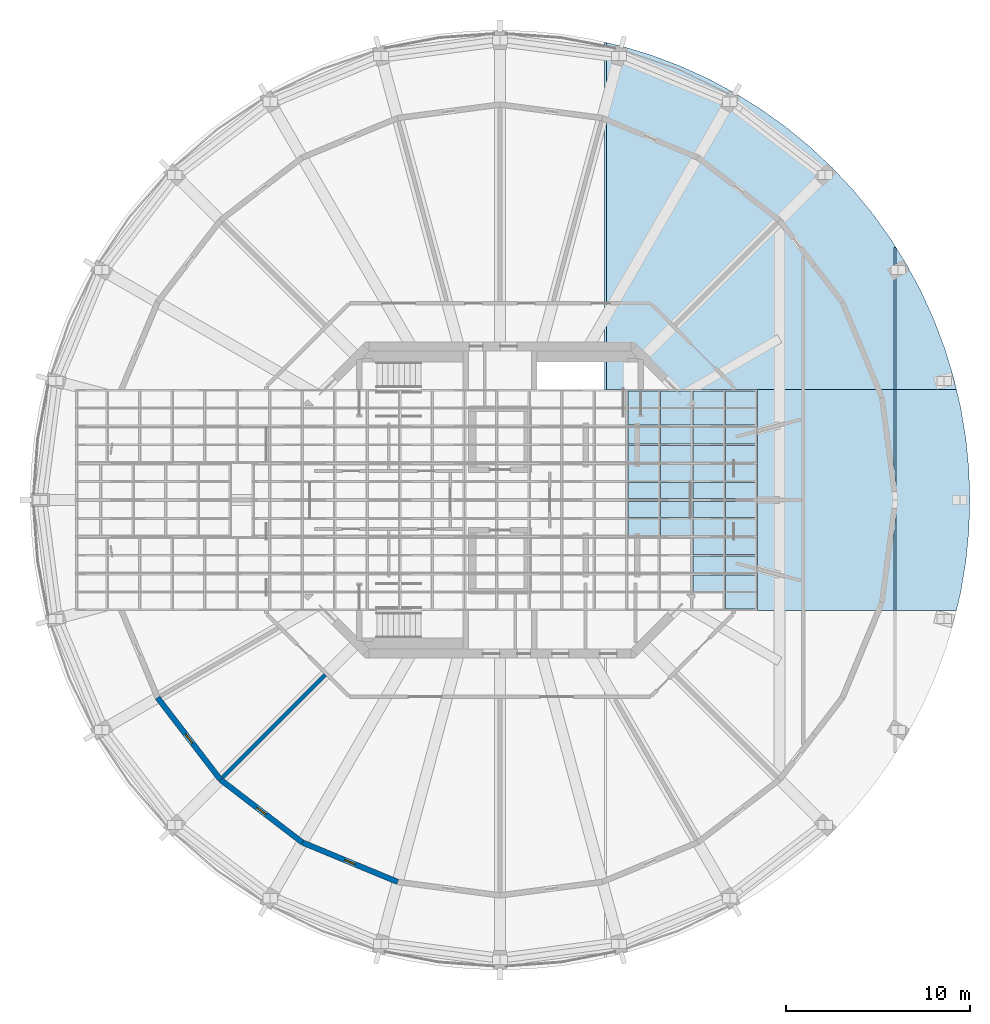
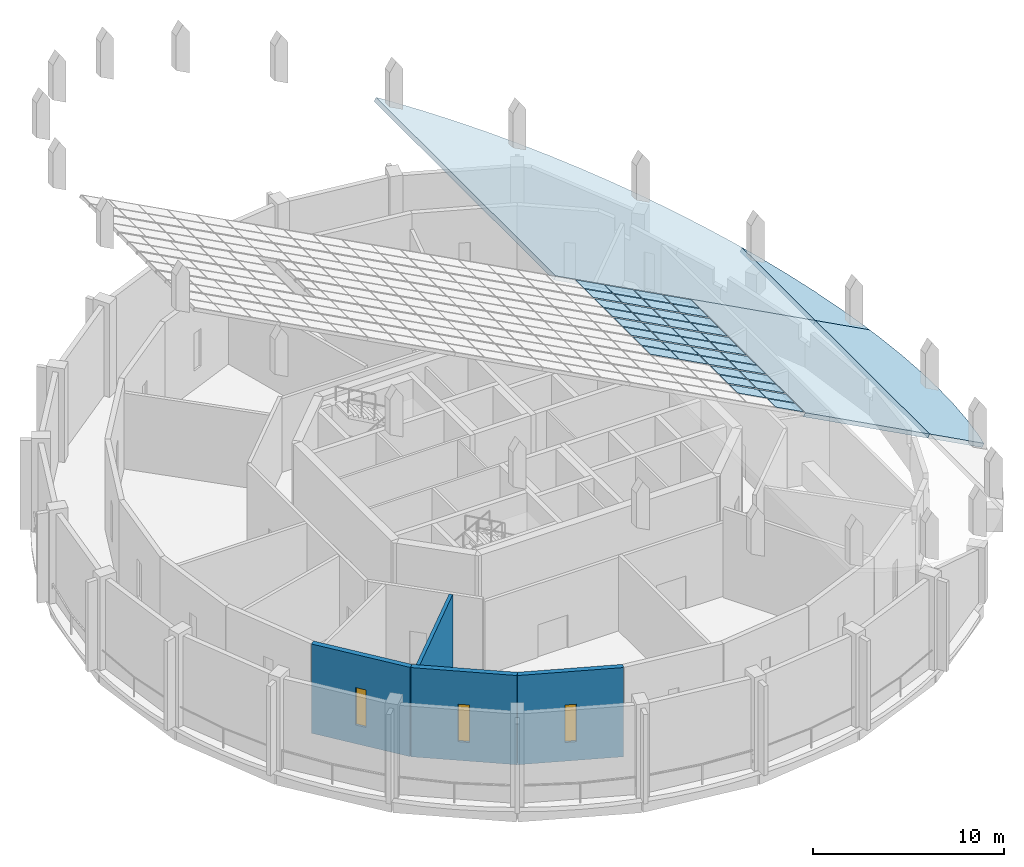
# One storey, part 12 of 19: 39 plates, 4 slabs, 4 walls, 3 windows, 3 openings, 6 elements without a shape of their own.
"""IFC4 building model written with IfcOpenShell, lengths in metres."""

import ifcopenshell
import ifcopenshell.guid

model = None  # the IFC model being written
_history = None  # IfcOwnerHistory: only IFC2X3 demands one
_inside = {}  # id of a spatial element -> (the spatial element, [elements in it])
_under = {}  # id of a project, library or spatial element -> (it, [spatial elements below it])
_declared = {}  # id of a project -> (the project, [libraries it declares])
_typed = {}  # id of a type object -> (the type object, [elements of that type])
_made_of = {}  # id of a material, layer set ... -> (it, [elements and type objects made of it])


def new_model(schema):
    """Start an empty IFC model of exactly this schema.

    Asked for "IFC4X3", IfcOpenShell would pick the latest addendum, in which some entities
    have other attributes; the version numbers below select the first issue.
    IFC2X3 requires an IfcOwnerHistory on every rooted entity: one is made here for all.
    """
    global model, _history
    if schema == "IFC4X3":
        model = ifcopenshell.file(schema_version=(4, 3, 0, 0))
    else:
        model = ifcopenshell.file(schema=schema)
    _inside.clear()
    _under.clear()
    _declared.clear()
    _typed.clear()
    _made_of.clear()
    _history = None
    if model.schema == "IFC2X3":
        org = make("IfcOrganization", Name="unknown")
        user = make(
            "IfcPersonAndOrganization",
            ThePerson=make("IfcPerson", FamilyName="unknown"),
            TheOrganization=org,
        )
        app = make(
            "IfcApplication",
            ApplicationDeveloper=org,
            Version="unknown",
            ApplicationFullName="unknown",
            ApplicationIdentifier="unknown",
        )
        _history = make(
            "IfcOwnerHistory",
            OwningUser=user,
            OwningApplication=app,
            ChangeAction="ADDED",
            CreationDate=0,
        )
    return model


def make(cls, **values):
    """One entity of the class cls with the attributes given. An attribute that is None is left unset."""
    return model.create_entity(
        cls, **{name: value for name, value in values.items() if value is not None}
    )


def rooted(cls, **values):
    """An entity with a GlobalId (a new one), such as an element, a storey or a relation."""
    return make(cls, GlobalId=ifcopenshell.guid.new(), OwnerHistory=_history, **values)


def si_unit(unit_type, name, prefix=None):
    """IfcSIUnit, for example si_unit("LENGTHUNIT", "METRE", prefix="MILLI")."""
    return make("IfcSIUnit", UnitType=unit_type, Prefix=prefix, Name=name)


def assignment(units):
    """IfcUnitAssignment: the units of a project."""
    return None if units is None else make("IfcUnitAssignment", Units=units)


def point(xyz):
    """IfcCartesianPoint."""
    return None if xyz is None else make("IfcCartesianPoint", Coordinates=xyz)


def direction(xyz):
    """IfcDirection."""
    return None if xyz is None else make("IfcDirection", DirectionRatios=xyz)


def frame(location, z_axis=None, x_axis=None):
    """IfcAxis2Placement3D, a coordinate frame: its origin and axes. An axis left out is left unset."""
    return make(
        "IfcAxis2Placement3D",
        Location=point(location),
        Axis=direction(z_axis),
        RefDirection=direction(x_axis),
    )


def frame_2d(location, x_axis=None):
    """IfcAxis2Placement2D, a coordinate frame in the plane: its origin and x axis."""
    return make(
        "IfcAxis2Placement2D", Location=point(location), RefDirection=direction(x_axis)
    )


def origin():
    """The frame at (0, 0, 0) with its axes left unset."""
    return frame((0.0, 0.0, 0.0))


def place(relative_to, where):
    """IfcLocalPlacement: puts the frame where relative to a parent placement (None: the world)."""
    return make(
        "IfcLocalPlacement", PlacementRelTo=relative_to, RelativePlacement=where
    )


def context(
    kind, dimensions, precision=None, world=None, true_north=None, identifier=None
):
    """IfcGeometricRepresentationContext, for example the 3D "Model" context."""
    return make(
        "IfcGeometricRepresentationContext",
        ContextIdentifier=identifier,
        ContextType=kind,
        CoordinateSpaceDimension=dimensions,
        Precision=precision,
        WorldCoordinateSystem=world,
        TrueNorth=true_north,
    )


def subcontext(parent, identifier, kind, view, scale=None):
    """IfcGeometricRepresentationSubContext, for example "Body" below "Model"."""
    return make(
        "IfcGeometricRepresentationSubContext",
        ContextIdentifier=identifier,
        ContextType=kind,
        ParentContext=parent,
        TargetScale=scale,
        TargetView=view,
    )


def project(units=None, contexts=None):
    """IfcProject with its units and contexts."""
    return rooted(
        "IfcProject",
        Name="project",
        RepresentationContexts=contexts,
        UnitsInContext=assignment(units),
    )


def spatial(cls, under=None, at=None, **own):
    """A site, building, storey or space (cls), placed at a placement, below another one or the project."""
    s = rooted(cls, ObjectPlacement=at, **own)
    if under is not None:
        _under.setdefault(under.id(), (under, []))[1].append(s)
    return s


def polyline(points):
    """IfcPolyline through the points."""
    return make("IfcPolyline", Points=[point(p) for p in points])


def profile(cls, at=None, kind="AREA", **sizes):
    """A parametric profile (cls). Its sizes go by their IFC names, for example OverallWidth=200.0."""
    return make(cls, ProfileType=kind, Position=at, **sizes)


def rectangle(**sizes):
    """IfcRectangleProfileDef."""
    return profile("IfcRectangleProfileDef", **sizes)


def outline(outer, holes=None, kind="AREA"):
    """IfcArbitraryClosedProfileDef: a profile drawn as a closed curve; with holes, ...WithVoids."""
    if holes is None:
        return make("IfcArbitraryClosedProfileDef", ProfileType=kind, OuterCurve=outer)
    return make(
        "IfcArbitraryProfileDefWithVoids",
        ProfileType=kind,
        OuterCurve=outer,
        InnerCurves=holes,
    )


def extrude(swept, where, along, depth):
    """IfcExtrudedAreaSolid: the profile swept, set in the frame where, extruded along a direction by depth."""
    return make(
        "IfcExtrudedAreaSolid",
        SweptArea=swept,
        Position=where,
        ExtrudedDirection=direction(along),
        Depth=depth,
    )


def shape(context_of_items, identifier, shape_type, items):
    """IfcShapeRepresentation: the items that make up one representation, for example the "Body"."""
    return make(
        "IfcShapeRepresentation",
        ContextOfItems=context_of_items,
        RepresentationIdentifier=identifier,
        RepresentationType=shape_type,
        Items=items,
    )


def material(Name=None, Category=None):
    """IfcMaterial."""
    return make("IfcMaterial", Name=Name, Category=Category)


def layer(
    of_material, thickness, ventilated=None, Name=None, Category=None, Priority=None
):
    """IfcMaterialLayer: one layer of a wall or slab, of a material (None: an air gap)."""
    return make(
        "IfcMaterialLayer",
        Material=of_material,
        LayerThickness=thickness,
        IsVentilated=ventilated,
        Name=Name,
        Category=Category,
        Priority=Priority,
    )


def layer_set(layers, Name=None):
    """IfcMaterialLayerSet."""
    return make("IfcMaterialLayerSet", MaterialLayers=layers, LayerSetName=Name)


def made_of(thing, what):
    """Note that an element or type object is made of a material, layer set ...; save() writes the relation."""
    if what is not None:
        _made_of.setdefault(what.id(), (what, []))[1].append(thing)
    return thing


def type_object(cls, material=None, **own):
    """A type object (cls), such as IfcWallType, which elements share."""
    return made_of(rooted(cls, **own), material)


def element(
    cls,
    number,
    at=None,
    inside=None,
    cuts=None,
    type_object=None,
    material=None,
    context=None,
    identifier="Body",
    shape_type=None,
    held_by="IfcProductDefinitionShape",
    body=None,
    shapes=None,
    **own,
):
    """One element of the class cls, such as IfcWall. Its Tag is "e" and its number.

    at: its placement. inside: the storey or other place that contains it. cuts: it is an
    opening in that element (IfcRelVoidsElement). A single representation is given by context,
    identifier, shape_type and body (its items); several are given by shapes. held_by: the class
    of the entity that holds the representations. save() writes the other relations.
    """
    e = rooted(cls, Tag="e%d" % number, ObjectPlacement=at, **own)
    if body is not None:
        shapes = [shape(context, identifier, shape_type, body)]
    if shapes is not None:
        e.Representation = make(held_by, Representations=shapes)
    if inside is not None:
        _inside.setdefault(inside.id(), (inside, []))[1].append(e)
    if cuts is not None:
        rooted(
            "IfcRelVoidsElement", RelatingBuildingElement=cuts, RelatedOpeningElement=e
        )
    if type_object is not None:
        _typed.setdefault(type_object.id(), (type_object, []))[1].append(e)
    return made_of(e, material)


def fill(opening, filler):
    """IfcRelFillsElement: the door or window that sits in an opening."""
    return rooted(
        "IfcRelFillsElement",
        RelatingOpeningElement=opening,
        RelatedBuildingElement=filler,
    )


def aggregate(whole, parts):
    """IfcRelAggregates: a whole, such as a stair, and the parts it consists of."""
    return rooted("IfcRelAggregates", RelatingObject=whole, RelatedObjects=parts)


def save(model, path):
    """Write the relations noted so far, then the file.

    IfcRelAggregates (storeys below a building ...), IfcRelContainedInSpatialStructure (elements
    in a storey), IfcRelDefinesByType, IfcRelAssociatesMaterial and IfcRelDeclares: one each for
    every whole, place, type object, material and project.
    """
    for whole, parts in _under.values():
        aggregate(whole, parts)
    for where, things in _inside.values():
        rooted(
            "IfcRelContainedInSpatialStructure",
            RelatedElements=things,
            RelatingStructure=where,
        )
    for kind, things in _typed.values():
        rooted("IfcRelDefinesByType", RelatedObjects=things, RelatingType=kind)
    for what, things in _made_of.values():
        rooted("IfcRelAssociatesMaterial", RelatedObjects=things, RelatingMaterial=what)
    for by, libraries in _declared.values():
        rooted("IfcRelDeclares", RelatingContext=by, RelatedDefinitions=libraries)
    model.write(path)


model = new_model("IFC4")

# Units and contexts
model_context = context("Model", 3, precision=1e-05, world=origin(), true_north=direction((0.0, 1.0)))
body_context = subcontext(model_context, "Body", "Model", "MODEL_VIEW")
ifc_project = project(units=[si_unit("LENGTHUNIT", "METRE"), si_unit("AREAUNIT", "SQUARE_METRE"), si_unit("VOLUMEUNIT", "CUBIC_METRE"), si_unit("PLANEANGLEUNIT", "RADIAN"), si_unit("MASSUNIT", "GRAM", prefix="KILO")], contexts=[model_context])

# Site, building, storey
site_placement = place(None, origin())
site = spatial("IfcSite", under=ifc_project, at=site_placement, CompositionType="ELEMENT")
building_placement = place(site_placement, origin())
building = spatial("IfcBuilding", under=site, at=building_placement, Name="Torre Triforio", CompositionType="ELEMENT")
storey_placement = place(building_placement, frame((0.0, 0.0, 290.800048828125)))
storey = spatial("IfcBuildingStorey", under=building, at=storey_placement, Name="RF-1", CompositionType="ELEMENT", Elevation=290.800048828125)

# Curtain wall, plates
ifc_material_1 = material(Name="Aluminium glazing bars with clear laminated glass", Category="aluminium")
curtain_wall_type = type_object("IfcCurtainWallType", Name="Crown lantern glazing CW4", PredefinedType="NOTDEFINED", material=ifc_material_1)
curtain_wall_1_placement = place(storey_placement, origin())
curtain_wall_1 = element("IfcCurtainWall", 1, at=curtain_wall_1_placement, inside=storey, type_object=curtain_wall_type, Name="Crown lantern run 1", PredefinedType="NOTDEFINED")
ifc_material_2 = material(Name="Clear laminated glass", Category="glass")
ifc_layer_1 = layer(ifc_material_2, 0.030029296875)
ifc_layer_set_1 = layer_set([ifc_layer_1], Name="Clear laminated glass")
plate_type = type_object("IfcPlateType", Name="CW4 glass panel 30", PredefinedType="CURTAIN_PANEL", material=ifc_layer_set_1)
plate_1_placement = place(storey_placement, frame((13.938232421875, -5.929931640625, 6.174072265625), z_axis=(0.469437772839, 0.0, 0.882965558463), x_axis=(0.0, 1.0, 0.0)))
plate_1 = element("IfcPlate", 2, at=plate_1_placement, type_object=plate_type, Name="CW4 panel 1.1.1", PredefinedType="CURTAIN_PANEL", context=body_context, shape_type="SweptSolid", body=[
    extrude(outline(polyline([(0.0, 0.0), (0.89501953125, 0.0), (0.89501953125, 1.895136030744882), (0.0, 1.895136030744882), (0.0, 0.0)])), origin(), (0.0, 0.0, -1.0), 0.030029296875),
])
plate_2_placement = place(storey_placement, frame((13.938232421875, -4.965087890625, 6.174072265625), z_axis=(0.469437772839, 0.0, 0.882965558463), x_axis=(0.0, 1.0, 0.0)))
plate_2 = element("IfcPlate", 3, at=plate_2_placement, type_object=plate_type, Name="CW4 panel 1.1.2", PredefinedType="CURTAIN_PANEL", context=body_context, shape_type="SweptSolid", body=[
    extrude(outline(polyline([(0.0, 0.0), (0.89501953125, 0.0), (0.89501953125, 1.895136030744882), (0.0, 1.895136030744882), (0.0, 0.0)])), origin(), (0.0, 0.0, -1.0), 0.030029296875),
])
plate_3_placement = place(storey_placement, frame((12.203125, -4.965087890625, 7.096435546875), z_axis=(0.469537451121, 0.0, 0.882912556256), x_axis=(0.0, 1.0, 0.0)))
plate_3 = element("IfcPlate", 4, at=plate_3_placement, type_object=plate_type, Name="CW4 panel 1.2.2", PredefinedType="CURTAIN_PANEL", context=body_context, shape_type="SweptSolid", body=[
    extrude(outline(polyline([(0.0, 0.0), (0.89501953125, 0.0), (0.89501953125, 1.9300909817454048), (0.0, 1.9300909817454048), (0.0, 0.0)])), origin(), (0.0, 0.0, -1.0), 0.030029296875),
])
aggregate(curtain_wall_1, [plate_1, plate_2, plate_3])

curtain_wall_2_placement = place(storey_placement, origin())
curtain_wall_2 = element("IfcCurtainWall", 5, at=curtain_wall_2_placement, inside=storey, type_object=curtain_wall_type, Name="Crown lantern run 2", PredefinedType="NOTDEFINED")
plate_4_placement = place(storey_placement, frame((13.938232421875, -3.929931640625, 6.174072265625), z_axis=(0.469437772839, 0.0, 0.882965558463), x_axis=(0.0, 1.0, 0.0)))
plate_4 = element("IfcPlate", 6, at=plate_4_placement, type_object=plate_type, Name="CW4 panel 2.1.1", PredefinedType="CURTAIN_PANEL", context=body_context, shape_type="SweptSolid", body=[
    extrude(outline(polyline([(0.0, 0.0), (0.89501953125, 0.0), (0.89501953125, 1.895136030744882), (0.0, 1.895136030744882), (0.0, 0.0)])), origin(), (0.0, 0.0, -1.0), 0.030029296875),
])
plate_5_placement = place(storey_placement, frame((13.938232421875, -2.965087890625, 6.174072265625), z_axis=(0.469437772839, 0.0, 0.882965558463), x_axis=(0.0, 1.0, 0.0)))
plate_5 = element("IfcPlate", 7, at=plate_5_placement, type_object=plate_type, Name="CW4 panel 2.1.2", PredefinedType="CURTAIN_PANEL", context=body_context, shape_type="SweptSolid", body=[
    extrude(outline(polyline([(0.0, 0.0), (0.89501953125, 0.0), (0.89501953125, 1.895136030744882), (0.0, 1.895136030744882), (0.0, 0.0)])), origin(), (0.0, 0.0, -1.0), 0.030029296875),
])
plate_6_placement = place(storey_placement, frame((12.203125, -3.929931640625, 7.096435546875), z_axis=(0.469537451121, 0.0, 0.882912556256), x_axis=(0.0, 1.0, 0.0)))
plate_6 = element("IfcPlate", 8, at=plate_6_placement, type_object=plate_type, Name="CW4 panel 2.2.1", PredefinedType="CURTAIN_PANEL", context=body_context, shape_type="SweptSolid", body=[
    extrude(outline(polyline([(0.0, 0.0), (0.89501953125, 0.0), (0.89501953125, 1.9300909817454048), (0.0, 1.9300909817454048), (0.0, 0.0)])), origin(), (0.0, 0.0, -1.0), 0.030029296875),
])
plate_7_placement = place(storey_placement, frame((12.203125, -2.965087890625, 7.096435546875), z_axis=(0.469537451121, 0.0, 0.882912556256), x_axis=(0.0, 1.0, 0.0)))
plate_7 = element("IfcPlate", 9, at=plate_7_placement, type_object=plate_type, Name="CW4 panel 2.2.2", PredefinedType="CURTAIN_PANEL", context=body_context, shape_type="SweptSolid", body=[
    extrude(outline(polyline([(0.0, 0.0), (0.89501953125, 0.0), (0.89501953125, 1.9300909817454048), (0.0, 1.9300909817454048), (0.0, 0.0)])), origin(), (0.0, 0.0, -1.0), 0.030029296875),
])
aggregate(curtain_wall_2, [plate_4, plate_5, plate_6, plate_7])

curtain_wall_3_placement = place(storey_placement, origin())
curtain_wall_3 = element("IfcCurtainWall", 10, at=curtain_wall_3_placement, inside=storey, type_object=curtain_wall_type, Name="Crown lantern run 3", PredefinedType="NOTDEFINED")
plate_8_placement = place(storey_placement, frame((13.938232421875, -1.929931640625, 6.174072265625), z_axis=(0.469437772839, 0.0, 0.882965558463), x_axis=(0.0, 1.0, 0.0)))
plate_8 = element("IfcPlate", 11, at=plate_8_placement, type_object=plate_type, Name="CW4 panel 3.1.1", PredefinedType="CURTAIN_PANEL", context=body_context, shape_type="SweptSolid", body=[
    extrude(outline(polyline([(0.0, 0.0), (0.89501953125, 0.0), (0.89501953125, 1.895136030744882), (0.0, 1.895136030744882), (0.0, 0.0)])), origin(), (0.0, 0.0, -1.0), 0.030029296875),
])
plate_9_placement = place(storey_placement, frame((13.938232421875, -0.965087890625, 6.174072265625), z_axis=(0.469437772839, 0.0, 0.882965558463), x_axis=(0.0, 1.0, 0.0)))
plate_9 = element("IfcPlate", 12, at=plate_9_placement, type_object=plate_type, Name="CW4 panel 3.1.2", PredefinedType="CURTAIN_PANEL", context=body_context, shape_type="SweptSolid", body=[
    extrude(outline(polyline([(0.0, 0.0), (0.89501953125, 0.0), (0.89501953125, 1.895136030744882), (0.0, 1.895136030744882), (0.0, 0.0)])), origin(), (0.0, 0.0, -1.0), 0.030029296875),
])
plate_10_placement = place(storey_placement, frame((12.203125, -1.929931640625, 7.096435546875), z_axis=(0.469537451121, 0.0, 0.882912556256), x_axis=(0.0, 1.0, 0.0)))
plate_10 = element("IfcPlate", 13, at=plate_10_placement, type_object=plate_type, Name="CW4 panel 3.2.1", PredefinedType="CURTAIN_PANEL", context=body_context, shape_type="SweptSolid", body=[
    extrude(outline(polyline([(0.0, 0.0), (0.89501953125, 0.0), (0.89501953125, 1.9300909817454048), (0.0, 1.9300909817454048), (0.0, 0.0)])), origin(), (0.0, 0.0, -1.0), 0.030029296875),
])
plate_11_placement = place(storey_placement, frame((12.203125, -0.965087890625, 7.096435546875), z_axis=(0.469537451121, 0.0, 0.882912556256), x_axis=(0.0, 1.0, 0.0)))
plate_11 = element("IfcPlate", 14, at=plate_11_placement, type_object=plate_type, Name="CW4 panel 3.2.2", PredefinedType="CURTAIN_PANEL", context=body_context, shape_type="SweptSolid", body=[
    extrude(outline(polyline([(0.0, 0.0), (0.89501953125, 0.0), (0.89501953125, 1.9300909817454048), (0.0, 1.9300909817454048), (0.0, 0.0)])), origin(), (0.0, 0.0, -1.0), 0.030029296875),
])
plate_12_placement = place(storey_placement, frame((10.437255859375, -1.929931640625, 8.03564453125), z_axis=(0.469438837627, 0.0, 0.882964992357), x_axis=(0.0, 1.0, 0.0)))
plate_12 = element("IfcPlate", 15, at=plate_12_placement, type_object=plate_type, Name="CW4 panel 3.3.1", PredefinedType="CURTAIN_PANEL", context=body_context, shape_type="SweptSolid", body=[
    extrude(outline(polyline([(0.0, 0.0), (0.89501953125, 0.0), (0.89501953125, 1.9299763606160503), (0.0, 1.9299763606160503), (0.0, 0.0)])), origin(), (0.0, 0.0, -1.0), 0.030029296875),
])
plate_13_placement = place(storey_placement, frame((10.437255859375, -0.965087890625, 8.03564453125), z_axis=(0.469438837627, 0.0, 0.882964992357), x_axis=(0.0, 1.0, 0.0)))
plate_13 = element("IfcPlate", 16, at=plate_13_placement, type_object=plate_type, Name="CW4 panel 3.3.2", PredefinedType="CURTAIN_PANEL", context=body_context, shape_type="SweptSolid", body=[
    extrude(outline(polyline([(0.0, 0.0), (0.89501953125, 0.0), (0.89501953125, 1.9299763606160503), (0.0, 1.9299763606160503), (0.0, 0.0)])), origin(), (0.0, 0.0, -1.0), 0.030029296875),
])
plate_14_placement = place(storey_placement, frame((8.67138671875, -1.929931640625, 8.974365234375), z_axis=(0.469537451121, 0.0, 0.882912556256), x_axis=(0.0, 1.0, 0.0)))
plate_14 = element("IfcPlate", 17, at=plate_14_placement, type_object=plate_type, Name="CW4 panel 3.4.1", PredefinedType="CURTAIN_PANEL", context=body_context, shape_type="SweptSolid", body=[
    extrude(outline(polyline([(0.0, 0.0), (0.89501953125, 0.0), (0.89501953125, 1.9300909817454048), (0.0, 1.9300909817454048), (0.0, 0.0)])), origin(), (0.0, 0.0, -1.0), 0.030029296875),
])
plate_15_placement = place(storey_placement, frame((8.67138671875, -0.965087890625, 8.974365234375), z_axis=(0.469537451121, 0.0, 0.882912556256), x_axis=(0.0, 1.0, 0.0)))
plate_15 = element("IfcPlate", 18, at=plate_15_placement, type_object=plate_type, Name="CW4 panel 3.4.2", PredefinedType="CURTAIN_PANEL", context=body_context, shape_type="SweptSolid", body=[
    extrude(outline(polyline([(0.0, 0.0), (0.89501953125, 0.0), (0.89501953125, 1.9300909817454048), (0.0, 1.9300909817454048), (0.0, 0.0)])), origin(), (0.0, 0.0, -1.0), 0.030029296875),
])
aggregate(curtain_wall_3, [plate_8, plate_9, plate_10, plate_11, plate_12, plate_13, plate_14, plate_15])

curtain_wall_4_placement = place(storey_placement, origin())
curtain_wall_4 = element("IfcCurtainWall", 19, at=curtain_wall_4_placement, inside=storey, type_object=curtain_wall_type, Name="Crown lantern run 5", PredefinedType="NOTDEFINED")
plate_16_placement = place(storey_placement, frame((13.938232421875, 0.070068359375, 6.174072265625), z_axis=(0.469437772839, 0.0, 0.882965558463), x_axis=(0.0, 1.0, 0.0)))
plate_16 = element("IfcPlate", 20, at=plate_16_placement, type_object=plate_type, Name="CW4 panel 5.1.1", PredefinedType="CURTAIN_PANEL", context=body_context, shape_type="SweptSolid", body=[
    extrude(outline(polyline([(0.0, 0.0), (0.89501953125, 0.0), (0.89501953125, 1.895136030744882), (0.0, 1.895136030744882), (0.0, 0.0)])), origin(), (0.0, 0.0, -1.0), 0.030029296875),
])
plate_17_placement = place(storey_placement, frame((13.938232421875, 1.034912109375, 6.174072265625), z_axis=(0.469437772839, 0.0, 0.882965558463), x_axis=(0.0, 1.0, 0.0)))
plate_17 = element("IfcPlate", 21, at=plate_17_placement, type_object=plate_type, Name="CW4 panel 5.1.2", PredefinedType="CURTAIN_PANEL", context=body_context, shape_type="SweptSolid", body=[
    extrude(outline(polyline([(0.0, 0.0), (0.89501953125, 0.0), (0.89501953125, 1.895136030744882), (0.0, 1.895136030744882), (0.0, 0.0)])), origin(), (0.0, 0.0, -1.0), 0.030029296875),
])
plate_18_placement = place(storey_placement, frame((12.203125, 0.070068359375, 7.096435546875), z_axis=(0.469537451121, 0.0, 0.882912556256), x_axis=(0.0, 1.0, 0.0)))
plate_18 = element("IfcPlate", 22, at=plate_18_placement, type_object=plate_type, Name="CW4 panel 5.2.1", PredefinedType="CURTAIN_PANEL", context=body_context, shape_type="SweptSolid", body=[
    extrude(outline(polyline([(0.0, 0.0), (0.89501953125, 0.0), (0.89501953125, 1.9300909817454048), (0.0, 1.9300909817454048), (0.0, 0.0)])), origin(), (0.0, 0.0, -1.0), 0.030029296875),
])
plate_19_placement = place(storey_placement, frame((12.203125, 1.034912109375, 7.096435546875), z_axis=(0.469537451121, 0.0, 0.882912556256), x_axis=(0.0, 1.0, 0.0)))
plate_19 = element("IfcPlate", 23, at=plate_19_placement, type_object=plate_type, Name="CW4 panel 5.2.2", PredefinedType="CURTAIN_PANEL", context=body_context, shape_type="SweptSolid", body=[
    extrude(outline(polyline([(0.0, 0.0), (0.89501953125, 0.0), (0.89501953125, 1.9300909817454048), (0.0, 1.9300909817454048), (0.0, 0.0)])), origin(), (0.0, 0.0, -1.0), 0.030029296875),
])
plate_20_placement = place(storey_placement, frame((10.437255859375, 0.070068359375, 8.03564453125), z_axis=(0.469438837627, 0.0, 0.882964992357), x_axis=(0.0, 1.0, 0.0)))
plate_20 = element("IfcPlate", 24, at=plate_20_placement, type_object=plate_type, Name="CW4 panel 5.3.1", PredefinedType="CURTAIN_PANEL", context=body_context, shape_type="SweptSolid", body=[
    extrude(outline(polyline([(0.0, 0.0), (0.89501953125, 0.0), (0.89501953125, 1.9299763606160503), (0.0, 1.9299763606160503), (0.0, 0.0)])), origin(), (0.0, 0.0, -1.0), 0.030029296875),
])
plate_21_placement = place(storey_placement, frame((10.437255859375, 1.034912109375, 8.03564453125), z_axis=(0.469438837627, 0.0, 0.882964992357), x_axis=(0.0, 1.0, 0.0)))
plate_21 = element("IfcPlate", 25, at=plate_21_placement, type_object=plate_type, Name="CW4 panel 5.3.2", PredefinedType="CURTAIN_PANEL", context=body_context, shape_type="SweptSolid", body=[
    extrude(outline(polyline([(0.0, 0.0), (0.89501953125, 0.0), (0.89501953125, 1.9299763606160503), (0.0, 1.9299763606160503), (0.0, 0.0)])), origin(), (0.0, 0.0, -1.0), 0.030029296875),
])
plate_22_placement = place(storey_placement, frame((8.67138671875, 0.070068359375, 8.974365234375), z_axis=(0.469537451121, 0.0, 0.882912556256), x_axis=(0.0, 1.0, 0.0)))
plate_22 = element("IfcPlate", 26, at=plate_22_placement, type_object=plate_type, Name="CW4 panel 5.4.1", PredefinedType="CURTAIN_PANEL", context=body_context, shape_type="SweptSolid", body=[
    extrude(outline(polyline([(0.0, 0.0), (0.89501953125, 0.0), (0.89501953125, 1.9300909817454048), (0.0, 1.9300909817454048), (0.0, 0.0)])), origin(), (0.0, 0.0, -1.0), 0.030029296875),
])
plate_23_placement = place(storey_placement, frame((8.67138671875, 1.034912109375, 8.974365234375), z_axis=(0.469537451121, 0.0, 0.882912556256), x_axis=(0.0, 1.0, 0.0)))
plate_23 = element("IfcPlate", 27, at=plate_23_placement, type_object=plate_type, Name="CW4 panel 5.4.2", PredefinedType="CURTAIN_PANEL", context=body_context, shape_type="SweptSolid", body=[
    extrude(outline(polyline([(0.0, 0.0), (0.89501953125, 0.0), (0.89501953125, 1.9300909817454048), (0.0, 1.9300909817454048), (0.0, 0.0)])), origin(), (0.0, 0.0, -1.0), 0.030029296875),
])
aggregate(curtain_wall_4, [plate_16, plate_17, plate_18, plate_19, plate_20, plate_21, plate_22, plate_23])

curtain_wall_5_placement = place(storey_placement, origin())
curtain_wall_5 = element("IfcCurtainWall", 28, at=curtain_wall_5_placement, inside=storey, type_object=curtain_wall_type, Name="Crown lantern run 7", PredefinedType="NOTDEFINED")
plate_24_placement = place(storey_placement, frame((13.938232421875, 2.070068359375, 6.174072265625), z_axis=(0.469437772839, 0.0, 0.882965558463), x_axis=(0.0, 1.0, 0.0)))
plate_24 = element("IfcPlate", 29, at=plate_24_placement, type_object=plate_type, Name="CW4 panel 7.1.1", PredefinedType="CURTAIN_PANEL", context=body_context, shape_type="SweptSolid", body=[
    extrude(outline(polyline([(0.0, 0.0), (0.89501953125, 0.0), (0.89501953125, 1.895136030744882), (0.0, 1.895136030744882), (0.0, 0.0)])), origin(), (0.0, 0.0, -1.0), 0.030029296875),
])
plate_25_placement = place(storey_placement, frame((13.938232421875, 3.034912109375, 6.174072265625), z_axis=(0.469437772839, 0.0, 0.882965558463), x_axis=(0.0, 1.0, 0.0)))
plate_25 = element("IfcPlate", 30, at=plate_25_placement, type_object=plate_type, Name="CW4 panel 7.1.2", PredefinedType="CURTAIN_PANEL", context=body_context, shape_type="SweptSolid", body=[
    extrude(outline(polyline([(0.0, 0.0), (0.89501953125, 0.0), (0.89501953125, 1.895136030744882), (0.0, 1.895136030744882), (0.0, 0.0)])), origin(), (0.0, 0.0, -1.0), 0.030029296875),
])
plate_26_placement = place(storey_placement, frame((12.203125, 2.070068359375, 7.096435546875), z_axis=(0.469537451121, 0.0, 0.882912556256), x_axis=(0.0, 1.0, 0.0)))
plate_26 = element("IfcPlate", 31, at=plate_26_placement, type_object=plate_type, Name="CW4 panel 7.2.1", PredefinedType="CURTAIN_PANEL", context=body_context, shape_type="SweptSolid", body=[
    extrude(outline(polyline([(0.0, 0.0), (0.89501953125, 0.0), (0.89501953125, 1.9300909817454048), (0.0, 1.9300909817454048), (0.0, 0.0)])), origin(), (0.0, 0.0, -1.0), 0.030029296875),
])
plate_27_placement = place(storey_placement, frame((12.203125, 3.034912109375, 7.096435546875), z_axis=(0.469537451121, 0.0, 0.882912556256), x_axis=(0.0, 1.0, 0.0)))
plate_27 = element("IfcPlate", 32, at=plate_27_placement, type_object=plate_type, Name="CW4 panel 7.2.2", PredefinedType="CURTAIN_PANEL", context=body_context, shape_type="SweptSolid", body=[
    extrude(outline(polyline([(0.0, 0.0), (0.89501953125, 0.0), (0.89501953125, 1.9300909817454048), (0.0, 1.9300909817454048), (0.0, 0.0)])), origin(), (0.0, 0.0, -1.0), 0.030029296875),
])
plate_28_placement = place(storey_placement, frame((10.437255859375, 2.070068359375, 8.03564453125), z_axis=(0.469438837627, 0.0, 0.882964992357), x_axis=(0.0, 1.0, 0.0)))
plate_28 = element("IfcPlate", 33, at=plate_28_placement, type_object=plate_type, Name="CW4 panel 7.3.1", PredefinedType="CURTAIN_PANEL", context=body_context, shape_type="SweptSolid", body=[
    extrude(outline(polyline([(0.0, 0.0), (0.89501953125, 0.0), (0.89501953125, 1.9299763606160503), (0.0, 1.9299763606160503), (0.0, 0.0)])), origin(), (0.0, 0.0, -1.0), 0.030029296875),
])
plate_29_placement = place(storey_placement, frame((10.437255859375, 3.034912109375, 8.03564453125), z_axis=(0.469438837627, 0.0, 0.882964992357), x_axis=(0.0, 1.0, 0.0)))
plate_29 = element("IfcPlate", 34, at=plate_29_placement, type_object=plate_type, Name="CW4 panel 7.3.2", PredefinedType="CURTAIN_PANEL", context=body_context, shape_type="SweptSolid", body=[
    extrude(outline(polyline([(0.0, 0.0), (0.89501953125, 0.0), (0.89501953125, 1.9299763606160503), (0.0, 1.9299763606160503), (0.0, 0.0)])), origin(), (0.0, 0.0, -1.0), 0.030029296875),
])
plate_30_placement = place(storey_placement, frame((8.67138671875, 2.070068359375, 8.974365234375), z_axis=(0.469537451121, 0.0, 0.882912556256), x_axis=(0.0, 1.0, 0.0)))
plate_30 = element("IfcPlate", 35, at=plate_30_placement, type_object=plate_type, Name="CW4 panel 7.4.1", PredefinedType="CURTAIN_PANEL", context=body_context, shape_type="SweptSolid", body=[
    extrude(outline(polyline([(0.0, 0.0), (0.89501953125, 0.0), (0.89501953125, 1.9300909817454048), (0.0, 1.9300909817454048), (0.0, 0.0)])), origin(), (0.0, 0.0, -1.0), 0.030029296875),
])
plate_31_placement = place(storey_placement, frame((8.67138671875, 3.034912109375, 8.974365234375), z_axis=(0.469537451121, 0.0, 0.882912556256), x_axis=(0.0, 1.0, 0.0)))
plate_31 = element("IfcPlate", 36, at=plate_31_placement, type_object=plate_type, Name="CW4 panel 7.4.2", PredefinedType="CURTAIN_PANEL", context=body_context, shape_type="SweptSolid", body=[
    extrude(outline(polyline([(0.0, 0.0), (0.89501953125, 0.0), (0.89501953125, 1.9300909817454048), (0.0, 1.9300909817454048), (0.0, 0.0)])), origin(), (0.0, 0.0, -1.0), 0.030029296875),
])
aggregate(curtain_wall_5, [plate_24, plate_25, plate_26, plate_27, plate_28, plate_29, plate_30, plate_31])

curtain_wall_6_placement = place(storey_placement, origin())
curtain_wall_6 = element("IfcCurtainWall", 37, at=curtain_wall_6_placement, inside=storey, type_object=curtain_wall_type, Name="Crown lantern run 8", PredefinedType="NOTDEFINED")
plate_32_placement = place(storey_placement, frame((13.938232421875, 4.070068359375, 6.174072265625), z_axis=(0.469437772839, 0.0, 0.882965558463), x_axis=(0.0, 1.0, 0.0)))
plate_32 = element("IfcPlate", 38, at=plate_32_placement, type_object=plate_type, Name="CW4 panel 8.1.1", PredefinedType="CURTAIN_PANEL", context=body_context, shape_type="SweptSolid", body=[
    extrude(outline(polyline([(0.0, 0.0), (0.89501953125, 0.0), (0.89501953125, 1.895136030744882), (0.0, 1.895136030744882), (0.0, 0.0)])), origin(), (0.0, 0.0, -1.0), 0.030029296875),
])
plate_33_placement = place(storey_placement, frame((13.938232421875, 5.034912109375, 6.174072265625), z_axis=(0.469437772839, 0.0, 0.882965558463), x_axis=(0.0, 1.0, 0.0)))
plate_33 = element("IfcPlate", 39, at=plate_33_placement, type_object=plate_type, Name="CW4 panel 8.1.2", PredefinedType="CURTAIN_PANEL", context=body_context, shape_type="SweptSolid", body=[
    extrude(outline(polyline([(0.0, 0.0), (0.89501953125, 0.0), (0.89501953125, 1.895136030744882), (0.0, 1.895136030744882), (0.0, 0.0)])), origin(), (0.0, 0.0, -1.0), 0.030029296875),
])
plate_34_placement = place(storey_placement, frame((12.203125, 4.070068359375, 7.096435546875), z_axis=(0.469537451121, 0.0, 0.882912556256), x_axis=(0.0, 1.0, 0.0)))
plate_34 = element("IfcPlate", 40, at=plate_34_placement, type_object=plate_type, Name="CW4 panel 8.2.1", PredefinedType="CURTAIN_PANEL", context=body_context, shape_type="SweptSolid", body=[
    extrude(outline(polyline([(0.0, 0.0), (0.89501953125, 0.0), (0.89501953125, 1.9300909817454048), (0.0, 1.9300909817454048), (0.0, 0.0)])), origin(), (0.0, 0.0, -1.0), 0.030029296875),
])
plate_35_placement = place(storey_placement, frame((12.203125, 5.034912109375, 7.096435546875), z_axis=(0.469537451121, 0.0, 0.882912556256), x_axis=(0.0, 1.0, 0.0)))
plate_35 = element("IfcPlate", 41, at=plate_35_placement, type_object=plate_type, Name="CW4 panel 8.2.2", PredefinedType="CURTAIN_PANEL", context=body_context, shape_type="SweptSolid", body=[
    extrude(outline(polyline([(0.0, 0.0), (0.89501953125, 0.0), (0.89501953125, 1.9300909817454048), (0.0, 1.9300909817454048), (0.0, 0.0)])), origin(), (0.0, 0.0, -1.0), 0.030029296875),
])
plate_36_placement = place(storey_placement, frame((10.437255859375, 4.070068359375, 8.03564453125), z_axis=(0.469438837627, 0.0, 0.882964992357), x_axis=(0.0, 1.0, 0.0)))
plate_36 = element("IfcPlate", 42, at=plate_36_placement, type_object=plate_type, Name="CW4 panel 8.3.1", PredefinedType="CURTAIN_PANEL", context=body_context, shape_type="SweptSolid", body=[
    extrude(outline(polyline([(0.0, 0.0), (0.89501953125, 0.0), (0.89501953125, 1.9299763606160503), (0.0, 1.9299763606160503), (0.0, 0.0)])), origin(), (0.0, 0.0, -1.0), 0.030029296875),
])
plate_37_placement = place(storey_placement, frame((10.437255859375, 5.034912109375, 8.03564453125), z_axis=(0.469438837627, 0.0, 0.882964992357), x_axis=(0.0, 1.0, 0.0)))
plate_37 = element("IfcPlate", 43, at=plate_37_placement, type_object=plate_type, Name="CW4 panel 8.3.2", PredefinedType="CURTAIN_PANEL", context=body_context, shape_type="SweptSolid", body=[
    extrude(outline(polyline([(0.0, 0.0), (0.89501953125, 0.0), (0.89501953125, 1.9299763606160503), (0.0, 1.9299763606160503), (0.0, 0.0)])), origin(), (0.0, 0.0, -1.0), 0.030029296875),
])
plate_38_placement = place(storey_placement, frame((8.67138671875, 4.070068359375, 8.974365234375), z_axis=(0.469537451121, 0.0, 0.882912556256), x_axis=(0.0, 1.0, 0.0)))
plate_38 = element("IfcPlate", 44, at=plate_38_placement, type_object=plate_type, Name="CW4 panel 8.4.1", PredefinedType="CURTAIN_PANEL", context=body_context, shape_type="SweptSolid", body=[
    extrude(outline(polyline([(0.0, 0.0), (0.89501953125, 0.0), (0.89501953125, 1.9300909817454048), (0.0, 1.9300909817454048), (0.0, 0.0)])), origin(), (0.0, 0.0, -1.0), 0.030029296875),
])
plate_39_placement = place(storey_placement, frame((8.67138671875, 5.034912109375, 8.974365234375), z_axis=(0.469537451121, 0.0, 0.882912556256), x_axis=(0.0, 1.0, 0.0)))
plate_39 = element("IfcPlate", 45, at=plate_39_placement, type_object=plate_type, Name="CW4 panel 8.4.2", PredefinedType="CURTAIN_PANEL", context=body_context, shape_type="SweptSolid", body=[
    extrude(outline(polyline([(0.0, 0.0), (0.89501953125, 0.0), (0.89501953125, 1.9300909817454048), (0.0, 1.9300909817454048), (0.0, 0.0)])), origin(), (0.0, 0.0, -1.0), 0.030029296875),
])
aggregate(curtain_wall_6, [plate_32, plate_33, plate_34, plate_35, plate_36, plate_37, plate_38, plate_39])

# Slabs
ifc_material_3 = material(Name="Concrete C40", Category="concrete")
ifc_layer_2 = layer(ifc_material_3, 0.25)
ifc_layer_set_2 = layer_set([ifc_layer_2], Name="Concrete C40")
slab_type = type_object("IfcSlabType", Name="Crown roof slab 250 C40", PredefinedType="ROOF", material=ifc_layer_set_2)
slab_1_placement = place(storey_placement, frame((8.212890625, 24.194091796875, 9.21826171875), z_axis=(0.469478450512, 4.35621e-07, 0.882943930555), x_axis=(-0.852886330766, 0.258700951792, 0.45349611281)))
element("IfcSlab", 46, at=slab_1_placement, inside=storey, type_object=slab_type, Name="SL.ROOF.N.RF-1", PredefinedType="ROOF", context=body_context, shape_type="SweptSolid", body=[
    extrude(outline(polyline([(0.0, 0.0), (1.8761104631709422, 5.551115123125783e-17), (2.811507169130471, 0.0548918316965738), (-2.0697679918204663, 18.28097152324765), (-19.28481876305928, 13.670468269316125), (-17.287149719056988, 6.211418329947956), (-16.84313851442436, 5.84076611848705), (-15.426093341737902, 4.813246829108578), (-13.931300552283165, 3.8758018102260805), (-12.365294986582438, 3.0317358068450964), (-10.734558391226953, 2.285378762073705), (-9.046332184722269, 1.639340697315447), (-7.307483358063916, 1.0968374013550104), (-5.525730545020486, 0.6600983437453994), (-3.708763567913887, 0.33085522102515025), (-1.8641723491358775, 0.11036099486417021), (0.0, 0.0)])), origin(), (0.0, 0.0, -1.0), 0.25),
])
slab_2_placement = place(storey_placement, frame((22.126953125, 12.77490234375, 1.820068359375), z_axis=(0.469433326982, -5.615728e-06, 0.882967922117), x_axis=(-0.508372239965, 0.817621315646, 0.270283277017)))
element("IfcSlab", 47, at=slab_2_placement, inside=storey, type_object=slab_type, Name="SL.ROOF.N.RF-1.E", PredefinedType="ROOF", context=body_context, shape_type="SweptSolid", body=[
    extrude(outline(polyline([(0.0, 0.0), (1.158264181474699, -1.1102230246251565e-16), (-5.155345338191421, 4.445946742670851), (-7.296871063102236, 1.4048043304497235), (-6.702709597818523, 1.1842355292224904), (-5.077947991471312, 0.7124075933966136), (-3.4145929379604305, 0.3568705399873899), (-1.719413355085093, 0.11903685440307399), (0.0, 0.0)])), origin(), (0.0, 0.0, -1.0), 0.25),
])
slab_3_placement = place(storey_placement, frame((14.0, -6.0, 6.14111328125), z_axis=(0.469470215973, 0.0, 0.882948308971), x_axis=(0.882948308971, 0.0, -0.469470215973)))
element("IfcSlab", 48, at=slab_3_placement, inside=storey, type_object=slab_type, Name="SL.ROOF.E.RF-1", PredefinedType="ROOF", context=body_context, shape_type="SweptSolid", body=[
    extrude(outline(polyline([(0.0, 0.0), (8.537403448097871, 0.0), (8.537403448097871, 12.0), (0.0, 12.0), (0.0, 0.0)])), origin(), (0.0, 0.0, -1.0), 0.25),
])
slab_4_placement = place(storey_placement, frame((25.05908203125, -4.984619140625, 0.260986328125), z_axis=(0.469454729647, 0.0, 0.882956542992), x_axis=(0.162215657592, 0.982978853818, -0.086247628248)))
element("IfcSlab", 49, at=slab_4_placement, inside=storey, type_object=slab_type, Name="SL.ROOF.E.RF-1.E", PredefinedType="ROOF", context=body_context, shape_type="SweptSolid", body=[
    extrude(outline(polyline([(0.0, 0.0), (1.678223490482226, 1.3877787807814457e-17), (3.3478524489678416, 0.12305984839668693), (5.001927163188448, 0.3692084616124726), (6.633248080992056, 0.7371002434565757), (8.234615650226678, 1.2253895977382148), (9.799550419143664, 1.8315358284788528), (10.748367823682274, 2.2817534688716465), (10.065026011389591, 5.937943229916487), (-1.7307202344288277, 3.7333184309403262), (-1.0473784221361435, 0.07712866989548522), (0.0, 0.0)])), origin(), (0.0, 0.0, -1.0), 0.25),
])

# Wall
ifc_material_4 = material(Name="Masonry block", Category="masonry")
ifc_layer_3 = layer(ifc_material_4, 0.199951171875)
ifc_layer_set_3 = layer_set([ifc_layer_3], Name="Masonry block")
wall_type_1 = type_object("IfcWallType", Name="Plant room wall 200 mm block EI 120", PredefinedType="PARTITIONING", material=ifc_layer_set_3)
wall_1_placement = place(storey_placement, frame((-9.50927734375, -9.50927734375, 0.0), z_axis=(0.0, 0.0, 1.0), x_axis=(-0.707106781187, -0.707106781187, 0.0)))
element("IfcWall", 50, at=wall_1_placement, inside=storey, type_object=wall_type_1, Name="Partition 19", PredefinedType="PARTITIONING", context=body_context, shape_type="SweptSolid", body=[
    extrude(rectangle(XDim=7.888671875, YDim=0.199951171875, at=frame_2d((3.9443359375, 0.0))), origin(), (0.0, 0.0, 1.0), 4.869873046875),
])

# Wall, opening, window
ifc_material_5 = material(Name="Limestone cladding", Category="masonry")
ifc_layer_4 = layer(ifc_material_5, 0.10009765625)
ifc_layer_5 = layer(ifc_material_3, 0.199951171875)
ifc_layer_set_4 = layer_set([ifc_layer_4, ifc_layer_5], Name="Limestone cladding / Concrete C40")
wall_type_2 = type_object("IfcWallType", Name="Stone-faced composite wall 300", PredefinedType="STANDARD", material=ifc_layer_set_4)
wall_2_placement = place(storey_placement, frame((-18.619384765625, -10.75, 0.0), z_axis=(0.0, 0.0, 1.0), x_axis=(0.608726467567, -0.793380165925, 0.0)))
wall_2 = element("IfcWall", 51, at=wall_2_placement, inside=storey, type_object=wall_type_2, Name="Crown wall RF-1 bay 15", PredefinedType="STANDARD", context=body_context, shape_type="SweptSolid", body=[
    extrude(outline(polyline([(0.0, 0.0), (5.612548828125, 0.0), (5.612548828125, 5.719970703125), (0.0, 5.719970703125), (0.0, 0.0)])), frame((0.0, 0.14990234375, 0.0), z_axis=(0.0, -1.0, 0.0), x_axis=(1.0, 0.0, 0.0)), (0.0, 0.0, 1.0), 0.300048828125),
])
opening_1_placement = place(wall_2_placement, frame((2.50634765625, 0.0, 1.199951171875)))
opening_1 = element("IfcOpeningElement", 52, at=opening_1_placement, cuts=wall_2, Name="Opening CR1-W15", PredefinedType="OPENING", context=body_context, shape_type="SweptSolid", body=[
    extrude(rectangle(XDim=0.60009765625, YDim=2.39990234375, at=frame_2d((0.300048828125, 1.199951171875))), frame((0.0, 0.159912109375, 0.0), z_axis=(0.0, -1.0, 0.0), x_axis=(1.0, 0.0, 0.0)), (0.0, 0.0, 1.0), 0.320068359375),
])
ifc_material_6 = material(Name="Aluminium frame with clear double glazing", Category="aluminium")
window_type = type_object("IfcWindowType", Name="Crown lancet slit window 600 x 2400", PartitioningType="SINGLE_PANEL", PredefinedType="WINDOW", material=ifc_material_6)
window_1_placement = place(opening_1_placement, origin())
window_1 = element("IfcWindow", 53, at=window_1_placement, inside=storey, type_object=window_type, Name="Slit window RF-1 bay 15", OverallHeight=2.39990234375, OverallWidth=0.60009765625, PartitioningType="SINGLE_PANEL", PredefinedType="WINDOW", context=body_context, shape_type="SweptSolid", body=[
    extrude(rectangle(XDim=0.60009765625, YDim=2.39990234375, at=frame_2d((0.300048828125, 1.199951171875))), frame((0.0, 0.030029296875, 0.0), z_axis=(0.0, -1.0, 0.0), x_axis=(1.0, 0.0, 0.0)), (0.0, 0.0, 1.0), 0.06005859375),
])
fill(opening_1, window_1)

wall_3_placement = place(storey_placement, frame((-15.202880859375, -15.202880859375, 0.0), z_axis=(0.0, 0.0, 1.0), x_axis=(0.793380165925, -0.608726467567, 0.0)))
wall_3 = element("IfcWall", 54, at=wall_3_placement, inside=storey, type_object=wall_type_2, Name="Crown wall RF-1 bay 16", PredefinedType="STANDARD", context=body_context, shape_type="SweptSolid", body=[
    extrude(outline(polyline([(0.0, 0.0), (5.612548828125, 0.0), (5.612548828125, 5.719970703125), (0.0, 5.719970703125), (0.0, 0.0)])), frame((0.0, 0.14990234375, 0.0), z_axis=(0.0, -1.0, 0.0), x_axis=(1.0, 0.0, 0.0)), (0.0, 0.0, 1.0), 0.300048828125),
])
opening_2_placement = place(wall_3_placement, frame((2.50634765625, 0.0, 1.199951171875)))
opening_2 = element("IfcOpeningElement", 55, at=opening_2_placement, cuts=wall_3, Name="Opening CR1-W16", PredefinedType="OPENING", context=body_context, shape_type="SweptSolid", body=[
    extrude(rectangle(XDim=0.60009765625, YDim=2.39990234375, at=frame_2d((0.300048828125, 1.199951171875))), frame((0.0, 0.159912109375, 0.0), z_axis=(0.0, -1.0, 0.0), x_axis=(1.0, 0.0, 0.0)), (0.0, 0.0, 1.0), 0.320068359375),
])
window_2_placement = place(opening_2_placement, origin())
window_2 = element("IfcWindow", 56, at=window_2_placement, inside=storey, type_object=window_type, Name="Slit window RF-1 bay 16", OverallHeight=2.39990234375, OverallWidth=0.60009765625, PartitioningType="SINGLE_PANEL", PredefinedType="WINDOW", context=body_context, shape_type="SweptSolid", body=[
    extrude(rectangle(XDim=0.60009765625, YDim=2.39990234375, at=frame_2d((0.300048828125, 1.199951171875))), frame((0.0, 0.030029296875, 0.0), z_axis=(0.0, -1.0, 0.0), x_axis=(1.0, 0.0, 0.0)), (0.0, 0.0, 1.0), 0.06005859375),
])
fill(opening_2, window_2)

wall_4_placement = place(storey_placement, frame((-10.75, -18.619384765625, 0.0), z_axis=(0.0, 0.0, 1.0), x_axis=(0.92387156362, -0.382702670405, 0.0)))
wall_4 = element("IfcWall", 57, at=wall_4_placement, inside=storey, type_object=wall_type_2, Name="Crown wall RF-1 bay 17", PredefinedType="STANDARD", context=body_context, shape_type="SweptSolid", body=[
    extrude(outline(polyline([(0.0, 0.0), (5.612548828125, 0.0), (5.612548828125, 5.719970703125), (0.0, 5.719970703125), (0.0, 0.0)])), frame((0.0, 0.14990234375, 0.0), z_axis=(0.0, -1.0, 0.0), x_axis=(1.0, 0.0, 0.0)), (0.0, 0.0, 1.0), 0.300048828125),
])
opening_3_placement = place(wall_4_placement, frame((2.50634765625, 0.0, 1.199951171875)))
opening_3 = element("IfcOpeningElement", 58, at=opening_3_placement, cuts=wall_4, Name="Opening CR1-W17", PredefinedType="OPENING", context=body_context, shape_type="SweptSolid", body=[
    extrude(rectangle(XDim=0.60009765625, YDim=2.39990234375, at=frame_2d((0.300048828125, 1.199951171875))), frame((0.0, 0.159912109375, 0.0), z_axis=(0.0, -1.0, 0.0), x_axis=(1.0, 0.0, 0.0)), (0.0, 0.0, 1.0), 0.320068359375),
])
window_3_placement = place(opening_3_placement, origin())
window_3 = element("IfcWindow", 59, at=window_3_placement, inside=storey, type_object=window_type, Name="Slit window RF-1 bay 17", OverallHeight=2.39990234375, OverallWidth=0.60009765625, PartitioningType="SINGLE_PANEL", PredefinedType="WINDOW", context=body_context, shape_type="SweptSolid", body=[
    extrude(rectangle(XDim=0.60009765625, YDim=2.39990234375, at=frame_2d((0.300048828125, 1.199951171875))), frame((0.0, 0.030029296875, 0.0), z_axis=(0.0, -1.0, 0.0), x_axis=(1.0, 0.0, 0.0)), (0.0, 0.0, 1.0), 0.06005859375),
])
fill(opening_3, window_3)

save(model, "model.ifc")
